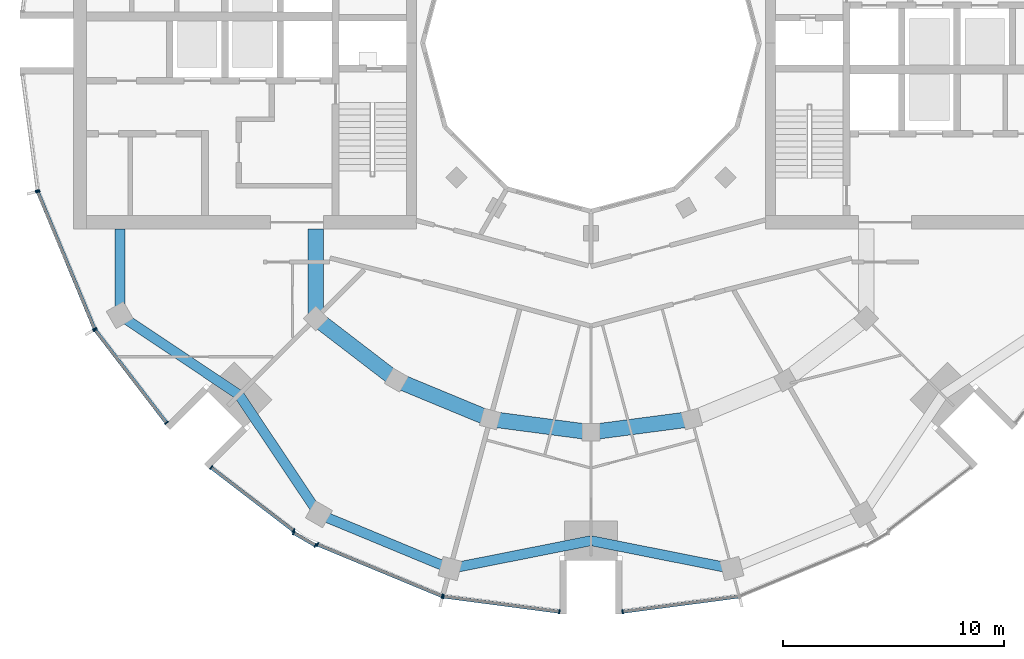
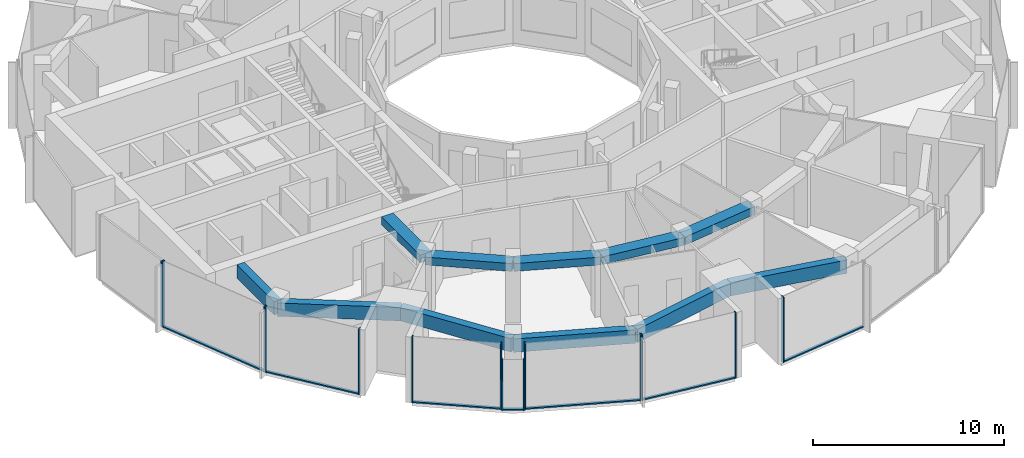
# One storey, part 2 of 15: 21 members, 11 beams, 8 elements without a shape of their own.
"""IFC4 building model written with IfcOpenShell, lengths in metres."""

import ifcopenshell
import ifcopenshell.guid

model = None  # the IFC model being written
_history = None  # IfcOwnerHistory: only IFC2X3 demands one
_inside = {}  # id of a spatial element -> (the spatial element, [elements in it])
_under = {}  # id of a project, library or spatial element -> (it, [spatial elements below it])
_declared = {}  # id of a project -> (the project, [libraries it declares])
_typed = {}  # id of a type object -> (the type object, [elements of that type])
_made_of = {}  # id of a material, layer set ... -> (it, [elements and type objects made of it])


def new_model(schema):
    """Start an empty IFC model of exactly this schema.

    Asked for "IFC4X3", IfcOpenShell would pick the latest addendum, in which some entities
    have other attributes; the version numbers below select the first issue.
    IFC2X3 requires an IfcOwnerHistory on every rooted entity: one is made here for all.
    """
    global model, _history
    if schema == "IFC4X3":
        model = ifcopenshell.file(schema_version=(4, 3, 0, 0))
    else:
        model = ifcopenshell.file(schema=schema)
    _inside.clear()
    _under.clear()
    _declared.clear()
    _typed.clear()
    _made_of.clear()
    _history = None
    if model.schema == "IFC2X3":
        org = make("IfcOrganization", Name="unknown")
        user = make(
            "IfcPersonAndOrganization",
            ThePerson=make("IfcPerson", FamilyName="unknown"),
            TheOrganization=org,
        )
        app = make(
            "IfcApplication",
            ApplicationDeveloper=org,
            Version="unknown",
            ApplicationFullName="unknown",
            ApplicationIdentifier="unknown",
        )
        _history = make(
            "IfcOwnerHistory",
            OwningUser=user,
            OwningApplication=app,
            ChangeAction="ADDED",
            CreationDate=0,
        )
    return model


def make(cls, **values):
    """One entity of the class cls with the attributes given. An attribute that is None is left unset."""
    return model.create_entity(
        cls, **{name: value for name, value in values.items() if value is not None}
    )


def rooted(cls, **values):
    """An entity with a GlobalId (a new one), such as an element, a storey or a relation."""
    return make(cls, GlobalId=ifcopenshell.guid.new(), OwnerHistory=_history, **values)


def si_unit(unit_type, name, prefix=None):
    """IfcSIUnit, for example si_unit("LENGTHUNIT", "METRE", prefix="MILLI")."""
    return make("IfcSIUnit", UnitType=unit_type, Prefix=prefix, Name=name)


def assignment(units):
    """IfcUnitAssignment: the units of a project."""
    return None if units is None else make("IfcUnitAssignment", Units=units)


def point(xyz):
    """IfcCartesianPoint."""
    return None if xyz is None else make("IfcCartesianPoint", Coordinates=xyz)


def direction(xyz):
    """IfcDirection."""
    return None if xyz is None else make("IfcDirection", DirectionRatios=xyz)


def frame(location, z_axis=None, x_axis=None):
    """IfcAxis2Placement3D, a coordinate frame: its origin and axes. An axis left out is left unset."""
    return make(
        "IfcAxis2Placement3D",
        Location=point(location),
        Axis=direction(z_axis),
        RefDirection=direction(x_axis),
    )


def frame_2d(location, x_axis=None):
    """IfcAxis2Placement2D, a coordinate frame in the plane: its origin and x axis."""
    return make(
        "IfcAxis2Placement2D", Location=point(location), RefDirection=direction(x_axis)
    )


def origin():
    """The frame at (0, 0, 0) with its axes left unset."""
    return frame((0.0, 0.0, 0.0))


def origin_2d():
    """The frame at (0, 0) in the plane with its x axis left unset."""
    return frame_2d((0.0, 0.0))


def place(relative_to, where):
    """IfcLocalPlacement: puts the frame where relative to a parent placement (None: the world)."""
    return make(
        "IfcLocalPlacement", PlacementRelTo=relative_to, RelativePlacement=where
    )


def context(
    kind, dimensions, precision=None, world=None, true_north=None, identifier=None
):
    """IfcGeometricRepresentationContext, for example the 3D "Model" context."""
    return make(
        "IfcGeometricRepresentationContext",
        ContextIdentifier=identifier,
        ContextType=kind,
        CoordinateSpaceDimension=dimensions,
        Precision=precision,
        WorldCoordinateSystem=world,
        TrueNorth=true_north,
    )


def subcontext(parent, identifier, kind, view, scale=None):
    """IfcGeometricRepresentationSubContext, for example "Body" below "Model"."""
    return make(
        "IfcGeometricRepresentationSubContext",
        ContextIdentifier=identifier,
        ContextType=kind,
        ParentContext=parent,
        TargetScale=scale,
        TargetView=view,
    )


def project(units=None, contexts=None):
    """IfcProject with its units and contexts."""
    return rooted(
        "IfcProject",
        Name="project",
        RepresentationContexts=contexts,
        UnitsInContext=assignment(units),
    )


def spatial(cls, under=None, at=None, **own):
    """A site, building, storey or space (cls), placed at a placement, below another one or the project."""
    s = rooted(cls, ObjectPlacement=at, **own)
    if under is not None:
        _under.setdefault(under.id(), (under, []))[1].append(s)
    return s


def profile(cls, at=None, kind="AREA", **sizes):
    """A parametric profile (cls). Its sizes go by their IFC names, for example OverallWidth=200.0."""
    return make(cls, ProfileType=kind, Position=at, **sizes)


def rectangle(**sizes):
    """IfcRectangleProfileDef."""
    return profile("IfcRectangleProfileDef", **sizes)


def extrude(swept, where, along, depth):
    """IfcExtrudedAreaSolid: the profile swept, set in the frame where, extruded along a direction by depth."""
    return make(
        "IfcExtrudedAreaSolid",
        SweptArea=swept,
        Position=where,
        ExtrudedDirection=direction(along),
        Depth=depth,
    )


def shape(context_of_items, identifier, shape_type, items):
    """IfcShapeRepresentation: the items that make up one representation, for example the "Body"."""
    return make(
        "IfcShapeRepresentation",
        ContextOfItems=context_of_items,
        RepresentationIdentifier=identifier,
        RepresentationType=shape_type,
        Items=items,
    )


def material(Name=None, Category=None):
    """IfcMaterial."""
    return make("IfcMaterial", Name=Name, Category=Category)


def layer(
    of_material, thickness, ventilated=None, Name=None, Category=None, Priority=None
):
    """IfcMaterialLayer: one layer of a wall or slab, of a material (None: an air gap)."""
    return make(
        "IfcMaterialLayer",
        Material=of_material,
        LayerThickness=thickness,
        IsVentilated=ventilated,
        Name=Name,
        Category=Category,
        Priority=Priority,
    )


def layer_set(layers, Name=None):
    """IfcMaterialLayerSet."""
    return make("IfcMaterialLayerSet", MaterialLayers=layers, LayerSetName=Name)


def material_profile(
    of_material, cross_section, Name=None, Category=None, Priority=None
):
    """IfcMaterialProfile: a cross section and its material."""
    return make(
        "IfcMaterialProfile",
        Name=Name,
        Material=of_material,
        Profile=cross_section,
        Priority=Priority,
        Category=Category,
    )


def profile_set(profiles, Name=None, composite=None):
    """IfcMaterialProfileSet."""
    return make(
        "IfcMaterialProfileSet",
        Name=Name,
        MaterialProfiles=profiles,
        CompositeProfile=composite,
    )


def made_of(thing, what):
    """Note that an element or type object is made of a material, layer set ...; save() writes the relation."""
    if what is not None:
        _made_of.setdefault(what.id(), (what, []))[1].append(thing)
    return thing


def type_object(cls, material=None, **own):
    """A type object (cls), such as IfcWallType, which elements share."""
    return made_of(rooted(cls, **own), material)


def element(
    cls,
    number,
    at=None,
    inside=None,
    cuts=None,
    type_object=None,
    material=None,
    context=None,
    identifier="Body",
    shape_type=None,
    held_by="IfcProductDefinitionShape",
    body=None,
    shapes=None,
    **own,
):
    """One element of the class cls, such as IfcWall. Its Tag is "e" and its number.

    at: its placement. inside: the storey or other place that contains it. cuts: it is an
    opening in that element (IfcRelVoidsElement). A single representation is given by context,
    identifier, shape_type and body (its items); several are given by shapes. held_by: the class
    of the entity that holds the representations. save() writes the other relations.
    """
    e = rooted(cls, Tag="e%d" % number, ObjectPlacement=at, **own)
    if body is not None:
        shapes = [shape(context, identifier, shape_type, body)]
    if shapes is not None:
        e.Representation = make(held_by, Representations=shapes)
    if inside is not None:
        _inside.setdefault(inside.id(), (inside, []))[1].append(e)
    if cuts is not None:
        rooted(
            "IfcRelVoidsElement", RelatingBuildingElement=cuts, RelatedOpeningElement=e
        )
    if type_object is not None:
        _typed.setdefault(type_object.id(), (type_object, []))[1].append(e)
    return made_of(e, material)


def aggregate(whole, parts):
    """IfcRelAggregates: a whole, such as a stair, and the parts it consists of."""
    return rooted("IfcRelAggregates", RelatingObject=whole, RelatedObjects=parts)


def save(model, path):
    """Write the relations noted so far, then the file.

    IfcRelAggregates (storeys below a building ...), IfcRelContainedInSpatialStructure (elements
    in a storey), IfcRelDefinesByType, IfcRelAssociatesMaterial and IfcRelDeclares: one each for
    every whole, place, type object, material and project.
    """
    for whole, parts in _under.values():
        aggregate(whole, parts)
    for where, things in _inside.values():
        rooted(
            "IfcRelContainedInSpatialStructure",
            RelatedElements=things,
            RelatingStructure=where,
        )
    for kind, things in _typed.values():
        rooted("IfcRelDefinesByType", RelatedObjects=things, RelatingType=kind)
    for what, things in _made_of.values():
        rooted("IfcRelAssociatesMaterial", RelatedObjects=things, RelatingMaterial=what)
    for by, libraries in _declared.values():
        rooted("IfcRelDeclares", RelatingContext=by, RelatedDefinitions=libraries)
    model.write(path)


model = new_model("IFC4")

# Units and contexts
model_context = context("Model", 3, precision=1e-05, world=origin(), true_north=direction((0.0, 1.0)))
body_context = subcontext(model_context, "Body", "Model", "MODEL_VIEW")
ifc_project = project(units=[si_unit("LENGTHUNIT", "METRE"), si_unit("AREAUNIT", "SQUARE_METRE"), si_unit("VOLUMEUNIT", "CUBIC_METRE"), si_unit("PLANEANGLEUNIT", "RADIAN"), si_unit("MASSUNIT", "GRAM", prefix="KILO")], contexts=[model_context])

# Site, building, storey
site_placement = place(None, origin())
site = spatial("IfcSite", under=ifc_project, at=site_placement, CompositionType="ELEMENT")
building_placement = place(site_placement, origin())
building = spatial("IfcBuilding", under=site, at=building_placement, Name="Torre Brocal", CompositionType="ELEMENT")
storey_placement = place(building_placement, frame((0.0, 0.0, 266.699951171875)))
storey = spatial("IfcBuildingStorey", under=building, at=storey_placement, Name="L61", CompositionType="ELEMENT", Elevation=266.699951171875)

# Curtain wall, members
ifc_material_1 = material(Name="Aluminium and glass", Category="aluminium")
ifc_layer_1 = layer(ifc_material_1, 0.199951171875)
ifc_layer_set_1 = layer_set([ifc_layer_1], Name="Aluminium and glass")
curtain_wall_type_1 = type_object("IfcCurtainWallType", Name="CW-1 CURTAIN WALL 4200 HIGH", PredefinedType="NOTDEFINED", material=ifc_layer_set_1)
curtain_wall_1_placement = place(storey_placement, origin())
curtain_wall_1 = element("IfcCurtainWall", 1, at=curtain_wall_1_placement, inside=storey, type_object=curtain_wall_type_1, Name="CW-1 RUN 14", PredefinedType="NOTDEFINED")
ifc_material_2 = material(Name="Aluminium, dark anodised", Category="aluminium")
ifc_material_profile_1 = material_profile(ifc_material_2, rectangle(XDim=0.199951171875, YDim=0.06005859375, at=origin_2d()), Name="CW-1 MULLION 60X200")
ifc_profile_set_1 = profile_set([ifc_material_profile_1], Name="Aluminium, dark anodised")
member_type_1 = type_object("IfcMemberType", Name="CW-1 MULLION 60X200", PredefinedType="MULLION", material=ifc_profile_set_1)
member_1_placement = place(storey_placement, frame((54.994873046875, 68.26904296875, 0.0), z_axis=(0.0, 0.0, 1.0), x_axis=(0.923879532525, 0.382683432333, 0.0)))
member_1 = element("IfcMember", 2, at=member_1_placement, type_object=member_type_1, Name="CW1-5 mullion 1", PredefinedType="MULLION", context=body_context, shape_type="SweptSolid", body=[
    extrude(rectangle(XDim=0.199951171875, YDim=0.06005859375, at=origin_2d()), origin(), (0.0, 0.0, 1.0), 4.199951171875),
])
member_2_placement = place(storey_placement, frame((57.559326171875, 62.078125, 0.0), z_axis=(0.0, 0.0, 1.0), x_axis=(0.923879532525, 0.382683432333, 0.0)))
member_2 = element("IfcMember", 3, at=member_2_placement, type_object=member_type_1, Name="CW1-5 mullion 2", PredefinedType="MULLION", context=body_context, shape_type="SweptSolid", body=[
    extrude(rectangle(XDim=0.199951171875, YDim=0.06005859375, at=origin_2d()), origin(), (0.0, 0.0, 1.0), 4.199951171875),
])

curtain_wall_2_placement = place(storey_placement, origin())
curtain_wall_2 = element("IfcCurtainWall", 4, at=curtain_wall_2_placement, inside=storey, type_object=curtain_wall_type_1, Name="CW-1 RUN 15", PredefinedType="NOTDEFINED")
member_3_placement = place(storey_placement, frame((57.5888671875, 62.026611328125, 0.0), z_axis=(0.0, 0.0, 1.0), x_axis=(0.793353340259, 0.60876142905, 0.0)))
member_3 = element("IfcMember", 5, at=member_3_placement, type_object=member_type_1, Name="CW1-5 mullion 1", PredefinedType="MULLION", context=body_context, shape_type="SweptSolid", body=[
    extrude(rectangle(XDim=0.199951171875, YDim=0.06005859375, at=origin_2d()), origin(), (0.0, 0.0, 1.0), 4.199951171875),
])
member_4_placement = place(storey_placement, frame((60.80859375, 57.83056640625, 0.0), z_axis=(0.0, 0.0, 1.0), x_axis=(0.793353340259, 0.60876142905, 0.0)))
member_4 = element("IfcMember", 6, at=member_4_placement, type_object=member_type_1, Name="CW1-5 mullion 2", PredefinedType="MULLION", context=body_context, shape_type="SweptSolid", body=[
    extrude(rectangle(XDim=0.199951171875, YDim=0.06005859375, at=origin_2d()), origin(), (0.0, 0.0, 1.0), 4.199951171875),
])

ifc_material_3 = material(Name="Aluminium and glass", Category="aluminium")
ifc_layer_2 = layer(ifc_material_3, 0.199951171875)
ifc_layer_set_2 = layer_set([ifc_layer_2], Name="Aluminium and glass")
curtain_wall_type_2 = type_object("IfcCurtainWallType", Name="CW-1 CURTAIN WALL 3200 HIGH", PredefinedType="NOTDEFINED", material=ifc_layer_set_2)
curtain_wall_3_placement = place(storey_placement, origin())
curtain_wall_3 = element("IfcCurtainWall", 7, at=curtain_wall_3_placement, inside=storey, type_object=curtain_wall_type_2, Name="CW-1 RUN 17 TRUSS CLOSER", PredefinedType="NOTDEFINED")
member_5_placement = place(storey_placement, frame((66.56103515625, 52.853271484375, 0.0), z_axis=(0.0, 0.0, 1.0), x_axis=(0.499999999547, 0.866025404046, 0.0)))
member_5 = element("IfcMember", 8, at=member_5_placement, type_object=member_type_1, Name="CW1-6 mullion 1", PredefinedType="MULLION", context=body_context, shape_type="SweptSolid", body=[
    extrude(rectangle(XDim=0.199951171875, YDim=0.06005859375, at=origin_2d()), origin(), (0.0, 0.0, 1.0), 3.199951171875),
])
member_6_placement = place(storey_placement, frame((67.539794921875, 52.2880859375, 0.0), z_axis=(0.0, 0.0, 1.0), x_axis=(0.499999999547, 0.866025404046, 0.0)))
member_6 = element("IfcMember", 9, at=member_6_placement, type_object=member_type_1, Name="CW1-6 mullion 2", PredefinedType="MULLION", context=body_context, shape_type="SweptSolid", body=[
    extrude(rectangle(XDim=0.199951171875, YDim=0.06005859375, at=origin_2d()), origin(), (0.0, 0.0, 1.0), 3.199951171875),
])

curtain_wall_4_placement = place(storey_placement, origin())
curtain_wall_4 = element("IfcCurtainWall", 10, at=curtain_wall_4_placement, inside=storey, type_object=curtain_wall_type_1, Name="CW-1 RUN 16", PredefinedType="NOTDEFINED")
member_7_placement = place(storey_placement, frame((62.83056640625, 55.80859375, 0.0), z_axis=(0.0, 0.0, 1.0), x_axis=(0.608761429119, 0.793353340206, 0.0)))
member_7 = element("IfcMember", 11, at=member_7_placement, type_object=member_type_1, Name="CW1-5 mullion 1", PredefinedType="MULLION", context=body_context, shape_type="SweptSolid", body=[
    extrude(rectangle(XDim=0.199951171875, YDim=0.06005859375, at=origin_2d()), origin(), (0.0, 0.0, 1.0), 4.199951171875),
])
member_8_placement = place(storey_placement, frame((66.546630859375, 52.957275390625, 0.0), z_axis=(0.0, 0.0, 1.0), x_axis=(0.608761429119, 0.793353340206, 0.0)))
member_8 = element("IfcMember", 12, at=member_8_placement, type_object=member_type_1, Name="CW1-5 mullion 2", PredefinedType="MULLION", context=body_context, shape_type="SweptSolid", body=[
    extrude(rectangle(XDim=0.199951171875, YDim=0.06005859375, at=origin_2d()), origin(), (0.0, 0.0, 1.0), 4.199951171875),
])

curtain_wall_5_placement = place(storey_placement, origin())
curtain_wall_5 = element("IfcCurtainWall", 13, at=curtain_wall_5_placement, inside=storey, type_object=curtain_wall_type_1, Name="CW-1 RUN 17", PredefinedType="NOTDEFINED")
member_9_placement = place(storey_placement, frame((67.63720703125, 52.32763671875, 0.0), z_axis=(0.0, 0.0, 1.0), x_axis=(0.382683432284, 0.923879532545, 0.0)))
member_9 = element("IfcMember", 14, at=member_9_placement, type_object=member_type_1, Name="CW1-5 mullion 1", PredefinedType="MULLION", context=body_context, shape_type="SweptSolid", body=[
    extrude(rectangle(XDim=0.199951171875, YDim=0.06005859375, at=origin_2d()), origin(), (0.0, 0.0, 1.0), 4.199951171875),
])
member_10_placement = place(storey_placement, frame((73.26904296875, 49.994873046875, 0.0), z_axis=(0.0, 0.0, 1.0), x_axis=(0.382683432284, 0.923879532545, 0.0)))
member_10 = element("IfcMember", 15, at=member_10_placement, type_object=member_type_1, Name="CW1-5 mullion 2", PredefinedType="MULLION", context=body_context, shape_type="SweptSolid", body=[
    extrude(rectangle(XDim=0.199951171875, YDim=0.06005859375, at=origin_2d()), origin(), (0.0, 0.0, 1.0), 4.199951171875),
])

curtain_wall_6_placement = place(storey_placement, origin())
curtain_wall_6 = element("IfcCurtainWall", 16, at=curtain_wall_6_placement, inside=storey, type_object=curtain_wall_type_1, Name="CW-1 RUN 18", PredefinedType="NOTDEFINED")
member_11_placement = place(storey_placement, frame((73.32666015625, 49.9794921875, 0.0), z_axis=(0.0, 0.0, 1.0), x_axis=(0.13052619222, 0.991444861374, 0.0)))
member_11 = element("IfcMember", 17, at=member_11_placement, type_object=member_type_1, Name="CW1-5 mullion 1", PredefinedType="MULLION", context=body_context, shape_type="SweptSolid", body=[
    extrude(rectangle(XDim=0.199951171875, YDim=0.06005859375, at=origin_2d()), origin(), (0.0, 0.0, 1.0), 4.199951171875),
])
member_12_placement = place(storey_placement, frame((78.5703125, 49.2890625, 0.0), z_axis=(0.0, 0.0, 1.0), x_axis=(0.13052619222, 0.991444861374, 0.0)))
member_12 = element("IfcMember", 18, at=member_12_placement, type_object=member_type_1, Name="CW1-5 mullion 2", PredefinedType="MULLION", context=body_context, shape_type="SweptSolid", body=[
    extrude(rectangle(XDim=0.199951171875, YDim=0.06005859375, at=origin_2d()), origin(), (0.0, 0.0, 1.0), 4.199951171875),
])

# Curtain wall, member
curtain_wall_7_placement = place(storey_placement, origin())
curtain_wall_7 = element("IfcCurtainWall", 19, at=curtain_wall_7_placement, inside=storey, type_object=curtain_wall_type_1, Name="CW-1 RUN 19", PredefinedType="NOTDEFINED")
member_13_placement = place(storey_placement, frame((81.4296875, 49.2890625, 0.0), z_axis=(0.0, 0.0, 1.0), x_axis=(-0.13052619222, 0.991444861374, 0.0)))
member_13 = element("IfcMember", 20, at=member_13_placement, type_object=member_type_1, Name="CW1-5 mullion 1", PredefinedType="MULLION", context=body_context, shape_type="SweptSolid", body=[
    extrude(rectangle(XDim=0.199951171875, YDim=0.06005859375, at=origin_2d()), origin(), (0.0, 0.0, 1.0), 4.199951171875),
])

# Member
ifc_material_4 = material(Name="Aluminium, dark anodised", Category="aluminium")
ifc_material_profile_2 = material_profile(ifc_material_4, rectangle(XDim=0.159912109375, YDim=0.080078125, at=origin_2d()), Name="CW-1 TRANSOM 160X80")
ifc_profile_set_2 = profile_set([ifc_material_profile_2], Name="Aluminium, dark anodised")
member_type_2 = type_object("IfcMemberType", Name="CW-1 TRANSOM 160X80", PredefinedType="USERDEFINED", material=ifc_profile_set_2)
member_14_placement = place(storey_placement, frame((55.00634765625, 68.241455078125, 0.0400390625), z_axis=(0.38266457234, -0.923887344364, 0.0), x_axis=(0.923887344364, 0.38266457234, 0.0)))
member_14 = element("IfcMember", 21, at=member_14_placement, type_object=member_type_2, Name="CW1-5 transom 1.1", ObjectType="TRANSOM", PredefinedType="USERDEFINED", context=body_context, shape_type="SweptSolid", body=[
    extrude(rectangle(XDim=0.159912109375, YDim=0.080078125, at=origin_2d()), origin(), (0.0, 0.0, 1.0), 6.640869140625),
])

aggregate(curtain_wall_1, [member_1, member_2, member_14])

member_15_placement = place(storey_placement, frame((57.607177734375, 62.0029296875, 0.0400390625), z_axis=(0.60874908096, -0.79336281513, 0.0), x_axis=(0.79336281513, 0.60874908096, 0.0)))
member_15 = element("IfcMember", 22, at=member_15_placement, type_object=member_type_2, Name="CW1-5 transom 1.1", ObjectType="TRANSOM", PredefinedType="USERDEFINED", context=body_context, shape_type="SweptSolid", body=[
    extrude(rectangle(XDim=0.159912109375, YDim=0.080078125, at=origin_2d()), origin(), (0.0, 0.0, 1.0), 5.22900390625),
])

aggregate(curtain_wall_2, [member_3, member_4, member_15])

member_16_placement = place(storey_placement, frame((66.5869140625, 52.83837890625, 0.0400390625), z_axis=(0.866045054481, -0.49996596245, 0.0), x_axis=(0.49996596245, 0.866045054481, 0.0)))
member_16 = element("IfcMember", 23, at=member_16_placement, type_object=member_type_2, Name="CW1-6 transom 1.1", ObjectType="TRANSOM", PredefinedType="USERDEFINED", context=body_context, shape_type="SweptSolid", body=[
    extrude(rectangle(XDim=0.159912109375, YDim=0.080078125, at=origin_2d()), origin(), (0.0, 0.0, 1.0), 1.0703125),
])

aggregate(curtain_wall_3, [member_5, member_6, member_16])

member_17_placement = place(storey_placement, frame((62.8544921875, 55.790283203125, 0.0400390625), z_axis=(0.793355584282, -0.608758504572, 0.0), x_axis=(0.608758504572, 0.793355584282, 0.0)))
member_17 = element("IfcMember", 24, at=member_17_placement, type_object=member_type_2, Name="CW1-5 transom 1.1", ObjectType="TRANSOM", PredefinedType="USERDEFINED", context=body_context, shape_type="SweptSolid", body=[
    extrude(rectangle(XDim=0.159912109375, YDim=0.080078125, at=origin_2d()), origin(), (0.0, 0.0, 1.0), 4.623779296875),
])

aggregate(curtain_wall_4, [member_7, member_8, member_17])

member_18_placement = place(storey_placement, frame((67.6650390625, 52.316162109375, 0.0400390625), z_axis=(0.923880275831, -0.382681637828, 0.0), x_axis=(0.382681637828, 0.923880275831, 0.0)))
member_18 = element("IfcMember", 25, at=member_18_placement, type_object=member_type_2, Name="CW1-5 transom 1.1", ObjectType="TRANSOM", PredefinedType="USERDEFINED", context=body_context, shape_type="SweptSolid", body=[
    extrude(rectangle(XDim=0.159912109375, YDim=0.080078125, at=origin_2d()), origin(), (0.0, 0.0, 1.0), 6.035888671875),
])

aggregate(curtain_wall_5, [member_9, member_10, member_18])

member_19_placement = place(storey_placement, frame((73.356201171875, 49.9755859375, 0.0400390625), z_axis=(0.991442690863, -0.130542677827, 0.0), x_axis=(0.130542677827, 0.991442690863, 0.0)))
member_19 = element("IfcMember", 26, at=member_19_placement, type_object=member_type_2, Name="CW1-5 transom 1.1", ObjectType="TRANSOM", PredefinedType="USERDEFINED", context=body_context, shape_type="SweptSolid", body=[
    extrude(rectangle(XDim=0.159912109375, YDim=0.080078125, at=origin_2d()), origin(), (0.0, 0.0, 1.0), 5.22900390625),
])

aggregate(curtain_wall_6, [member_11, member_12, member_19])

member_20_placement = place(storey_placement, frame((81.45947265625, 49.29296875, 0.0400390625), z_axis=(0.991442690863, 0.130542677827, 0.0), x_axis=(-0.130542677827, 0.991442690863, 0.0)))
member_20 = element("IfcMember", 27, at=member_20_placement, type_object=member_type_2, Name="CW1-5 transom 1.1", ObjectType="TRANSOM", PredefinedType="USERDEFINED", context=body_context, shape_type="SweptSolid", body=[
    extrude(rectangle(XDim=0.159912109375, YDim=0.080078125, at=origin_2d()), origin(), (0.0, 0.0, 1.0), 5.22900390625),
])

aggregate(curtain_wall_7, [member_13, member_20])

# Curtain wall, member
ifc_material_5 = material(Name="Aluminium and glass", Category="aluminium")
ifc_layer_3 = layer(ifc_material_5, 0.199951171875)
ifc_layer_set_3 = layer_set([ifc_layer_3], Name="Aluminium and glass")
curtain_wall_type_3 = type_object("IfcCurtainWallType", Name="CW-1B CURTAIN WALL 4200 HIGH", PredefinedType="NOTDEFINED", material=ifc_layer_set_3)
curtain_wall_8_placement = place(storey_placement, origin())
curtain_wall_8 = element("IfcCurtainWall", 28, at=curtain_wall_8_placement, inside=storey, type_object=curtain_wall_type_3, Name="CW-1B RUN 13", PredefinedType="NOTDEFINED")
ifc_material_6 = material(Name="Aluminium, dark anodised", Category="aluminium")
ifc_material_profile_3 = material_profile(ifc_material_6, rectangle(XDim=0.199951171875, YDim=0.06005859375, at=origin_2d()), Name="CW-1B MULLION 60X200")
ifc_profile_set_3 = profile_set([ifc_material_profile_3], Name="Aluminium, dark anodised")
member_type_3 = type_object("IfcMemberType", Name="CW-1B MULLION 60X200", PredefinedType="MULLION", material=ifc_profile_set_3)
member_21_placement = place(storey_placement, frame((54.9794921875, 68.32666015625, 0.0), z_axis=(0.0, 0.0, 1.0), x_axis=(0.991444861374, 0.13052619222, 0.0)))
member_21 = element("IfcMember", 29, at=member_21_placement, type_object=member_type_3, Name="CW1B-5 mullion 2", PredefinedType="MULLION", context=body_context, shape_type="SweptSolid", body=[
    extrude(rectangle(XDim=0.199951171875, YDim=0.06005859375, at=origin_2d()), origin(), (0.0, 0.0, 1.0), 4.199951171875),
])
aggregate(curtain_wall_8, [member_21])

# Beams
ifc_material_7 = material(Name="Concrete C50", Category="concrete")
ifc_material_profile_4 = material_profile(ifc_material_7, rectangle(XDim=0.699951171875, YDim=0.5, at=origin_2d()), Name="RC 700X500")
ifc_profile_set_4 = profile_set([ifc_material_profile_4], Name="Concrete C50")
beam_type_1 = type_object("IfcBeamType", Name="RC BEAM 700X500 C50 TOP 3750", PredefinedType="BEAM", material=ifc_profile_set_4)
beam_1_placement = place(storey_placement, frame((67.554931640625, 62.554931640625, 3.5), z_axis=(0.0, 1.0, 0.0), x_axis=(-1.0, 0.0, 0.0)))
element("IfcBeam", 30, at=beam_1_placement, inside=storey, type_object=beam_type_1, Name="Beam BT-43", PredefinedType="BEAM", context=body_context, shape_type="SweptSolid", body=[
    extrude(rectangle(XDim=0.699951171875, YDim=0.5, at=origin_2d()), origin(), (0.0, 0.0, 1.0), 4.045166015625),
])
beam_2_placement = place(storey_placement, frame((67.554931640625, 62.554931640625, 3.5), z_axis=(0.793358265959, -0.6087550097, 0.0), x_axis=(0.6087550097, 0.793358265959, 0.0)))
element("IfcBeam", 31, at=beam_2_placement, inside=storey, type_object=beam_type_1, Name="Beam BT-43", PredefinedType="BEAM", context=body_context, shape_type="SweptSolid", body=[
    extrude(rectangle(XDim=0.699951171875, YDim=0.5, at=origin_2d()), origin(), (0.0, 0.0, 1.0), 4.594482421875),
])
beam_3_placement = place(storey_placement, frame((71.199951171875, 59.758056640625, 3.5), z_axis=(0.923878240166, -0.382686552348, 0.0), x_axis=(0.382686552348, 0.923878240166, 0.0)))
element("IfcBeam", 32, at=beam_3_placement, inside=storey, type_object=beam_type_1, Name="Beam BT-43", PredefinedType="BEAM", context=body_context, shape_type="SweptSolid", body=[
    extrude(rectangle(XDim=0.699951171875, YDim=0.5, at=origin_2d()), origin(), (0.0, 0.0, 1.0), 4.5947265625),
])
for number, where, z_axis, x_axis, name in (
    (33, (75.44482421875, 57.999755859375, 3.5), (0.991440544449, -0.130558978332, 0.0), (0.130558978332, 0.991440544449, 0.0), "Beam BT-43"),
    (34, (80.0, 57.39990234375, 3.5), (0.991440544449, 0.130558978332, 0.0), (-0.130558978332, 0.991440544449, 0.0), "Beam BT-43"),
):
    element("IfcBeam", number, at=place(storey_placement, frame(where, z_axis=z_axis, x_axis=x_axis)), inside=storey, type_object=beam_type_1, Name=name, PredefinedType="BEAM", context=body_context, shape_type="SweptSolid", body=[
        extrude(rectangle(XDim=0.699951171875, YDim=0.5, at=origin_2d()), origin(), (0.0, 0.0, 1.0), 4.594482421875),
    ])
ifc_material_8 = material(Name="Concrete C50", Category="concrete")
ifc_material_profile_5 = material_profile(ifc_material_8, rectangle(XDim=0.449951171875, YDim=0.85009765625, at=origin_2d()), Name="RC 450X850")
ifc_profile_set_5 = profile_set([ifc_material_profile_5], Name="Concrete C50")
beam_type_2 = type_object("IfcBeamType", Name="RC SPANDREL BEAM 450X850 C50 TOP 3750", PredefinedType="SPANDREL", material=ifc_profile_set_5)
beam_4_placement = place(storey_placement, frame((58.69580078125, 62.699951171875, 3.324951171875), z_axis=(0.0, 1.0, 0.0), x_axis=(-1.0, 0.0, 0.0)))
element("IfcBeam", 35, at=beam_4_placement, inside=storey, type_object=beam_type_2, Name="Beam BT-44", PredefinedType="SPANDREL", context=body_context, shape_type="SweptSolid", body=[
    extrude(rectangle(XDim=0.449951171875, YDim=0.85009765625, at=origin_2d()), origin(), (0.0, 0.0, 1.0), 3.900146484375),
])
for number, where, z_axis, x_axis, name in (
    (36, (58.69580078125, 62.699951171875, 3.324951171875), (0.831076844476, -0.556157602282, 0.0), (0.556157602282, 0.831076844476, 0.0), "Beam BT-44"),
    (37, (64.090087890625, 59.090087890625, 3.324951171875), (0.556157602282, -0.831076844476, 0.0), (0.831076844476, 0.556157602282, 0.0), "Beam BT-44"),
):
    element("IfcBeam", number, at=place(storey_placement, frame(where, z_axis=z_axis, x_axis=x_axis)), inside=storey, type_object=beam_type_2, Name=name, PredefinedType="SPANDREL", context=body_context, shape_type="SweptSolid", body=[
        extrude(rectangle(XDim=0.449951171875, YDim=0.85009765625, at=origin_2d()), origin(), (0.0, 0.0, 1.0), 6.49072265625),
    ])
beam_5_placement = place(storey_placement, frame((67.699951171875, 53.69580078125, 3.324951171875), z_axis=(0.923882462513, -0.382676358639, 0.0), x_axis=(0.382676358639, 0.923882462513, 0.0)))
element("IfcBeam", 38, at=beam_5_placement, inside=storey, type_object=beam_type_2, Name="Beam BT-44", PredefinedType="SPANDREL", context=body_context, shape_type="SweptSolid", body=[
    extrude(rectangle(XDim=0.449951171875, YDim=0.85009765625, at=origin_2d()), origin(), (0.0, 0.0, 1.0), 6.421875),
])
for number, where, z_axis, x_axis, name in (
    (39, (73.633056640625, 51.23828125, 3.324951171875), (0.980924907484, 0.194387051723, 0.0), (-0.194387051723, 0.980924907484, 0.0), "Beam BT-44"),
    (40, (80.0, 52.5, 3.324951171875), (0.980924907484, -0.194387051723, 0.0), (0.194387051723, 0.980924907484, 0.0), "Beam BT-44"),
):
    element("IfcBeam", number, at=place(storey_placement, frame(where, z_axis=z_axis, x_axis=x_axis)), inside=storey, type_object=beam_type_2, Name=name, PredefinedType="SPANDREL", context=body_context, shape_type="SweptSolid", body=[
        extrude(rectangle(XDim=0.449951171875, YDim=0.85009765625, at=origin_2d()), origin(), (0.0, 0.0, 1.0), 6.49072265625),
    ])

save(model, "model.ifc")
